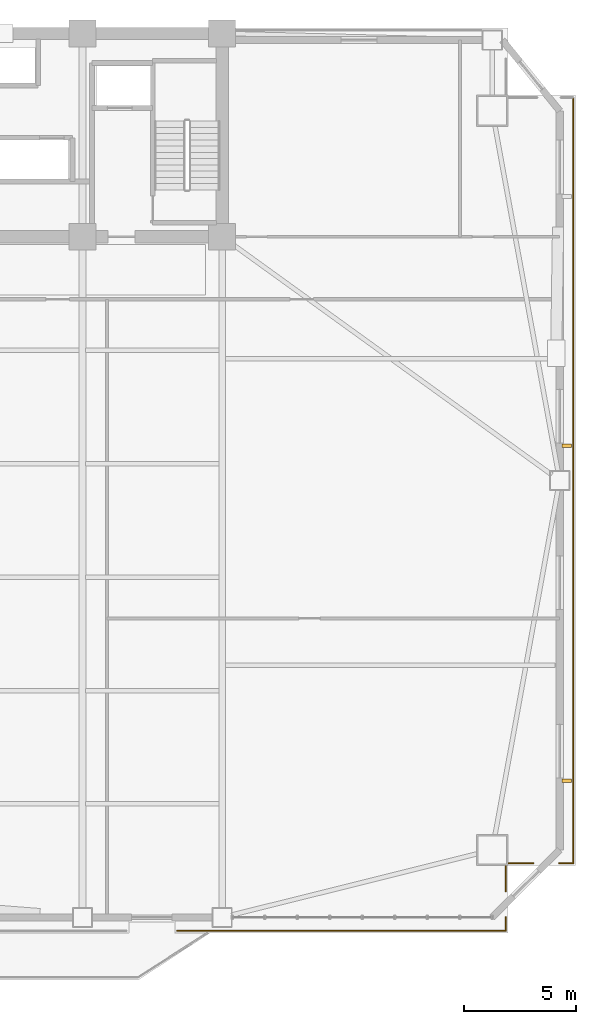
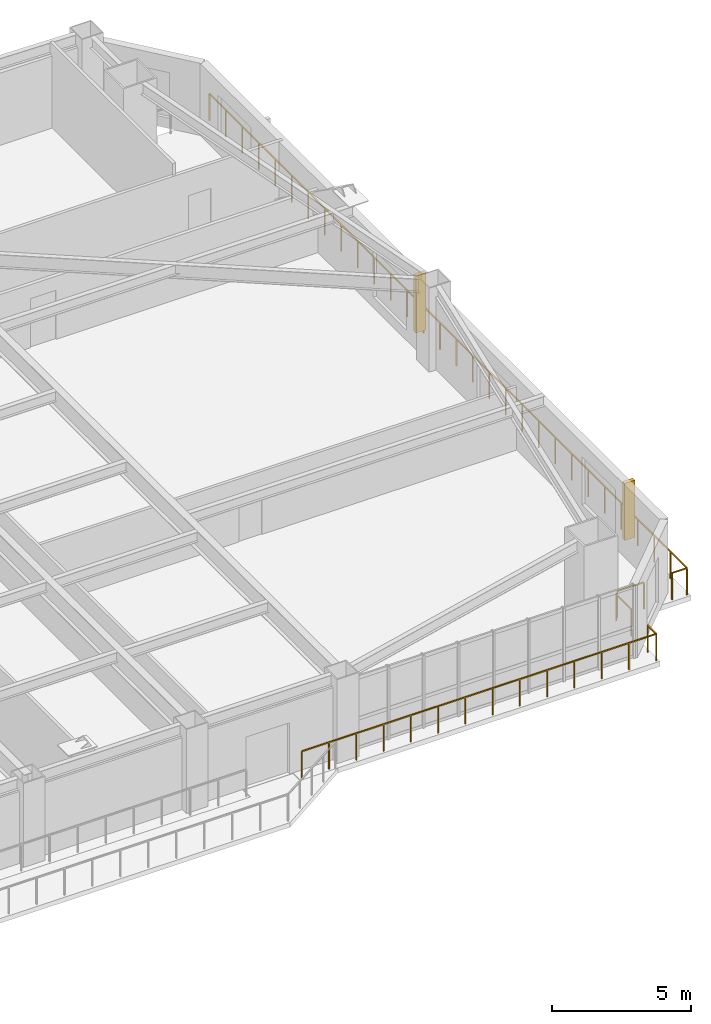
# One storey, part 13 of 15: 6 railings, 2 shading devices.
"""IFC4 building model written with IfcOpenShell, lengths in metres."""

from ifc_helpers import new_model, si_unit, direction, frame, origin, origin_2d, place, context, subcontext, project, spatial, rectangle, extrude, source, transform, mapped, material, type_object, element, save


model = new_model("IFC4")

# Units and contexts
model_context = context("Model", 3, precision=1e-05, world=origin(), true_north=direction((0.0, 1.0)))
body_context = subcontext(model_context, "Body", "Model", "MODEL_VIEW")
ifc_project = project(units=[si_unit("LENGTHUNIT", "METRE"), si_unit("AREAUNIT", "SQUARE_METRE"), si_unit("VOLUMEUNIT", "CUBIC_METRE"), si_unit("PLANEANGLEUNIT", "RADIAN"), si_unit("MASSUNIT", "GRAM", prefix="KILO")], contexts=[model_context])

# Site, building, storey
site_placement = place(None, origin())
site = spatial("IfcSite", under=ifc_project, at=site_placement, CompositionType="ELEMENT")
building_placement = place(site_placement, origin())
building = spatial("IfcBuilding", under=site, at=building_placement, Name="Giltprow Tower", CompositionType="ELEMENT")
storey_placement = place(building_placement, frame((0.0, 0.0, 115.300048828125)))
storey = spatial("IfcBuildingStorey", under=building, at=storey_placement, Name="L28", CompositionType="ELEMENT", Elevation=115.300048828125)

# Railings
ifc_material = material(Name="Anodized bronze", Category="metal")
railing_type = type_object("IfcRailingType", Name="RAIL-BALC-GUARD-1200", PredefinedType="BALUSTRADE", material=ifc_material)
railing_1_placement = place(storey_placement, frame((66.256103515625, 43.68310546875, 0.0)))
element("IfcRailing", 1, at=railing_1_placement, inside=storey, type_object=railing_type, Name="L28 Corner Apron Edge Balustrade 14", PredefinedType="BALUSTRADE", context=body_context, shape_type="SweptSolid", body=[
    extrude(rectangle(XDim=0.048095703125, YDim=0.048095703125, at=origin_2d()), frame((0.0, 0.0, 1.17578125), z_axis=(0.0, -1.0, 0.0), x_axis=(1.0, 0.0, 0.0)), (0.0, 0.0, 1.0), 34.276123046875),
    extrude(rectangle(XDim=0.0419921875, YDim=0.0419921875, at=origin_2d()), origin(), (0.0, 0.0, 1.0), 1.15185546875),
    extrude(rectangle(XDim=0.0419921875, YDim=0.0419921875, at=origin_2d()), frame((0.0, -1.181884765625, 0.0)), (0.0, 0.0, 1.0), 1.15185546875),
    extrude(rectangle(XDim=0.0419921875, YDim=0.0419921875, at=origin_2d()), frame((0.0, -2.36376953125, 0.0)), (0.0, 0.0, 1.0), 1.15185546875),
    extrude(rectangle(XDim=0.0419921875, YDim=0.0419921875, at=origin_2d()), frame((0.0, -3.5458984375, 0.0)), (0.0, 0.0, 1.0), 1.15185546875),
    extrude(rectangle(XDim=0.0419921875, YDim=0.0419921875, at=origin_2d()), frame((0.0, -4.727783203125, 0.0)), (0.0, 0.0, 1.0), 1.15185546875),
    extrude(rectangle(XDim=0.0419921875, YDim=0.0419921875, at=origin_2d()), frame((0.0, -5.90966796875, 0.0)), (0.0, 0.0, 1.0), 1.15185546875),
    extrude(rectangle(XDim=0.0419921875, YDim=0.0419921875, at=origin_2d()), frame((0.0, -7.091552734375, 0.0)), (0.0, 0.0, 1.0), 1.15185546875),
    extrude(rectangle(XDim=0.0419921875, YDim=0.0419921875, at=origin_2d()), frame((0.0, -8.2734375, 0.0)), (0.0, 0.0, 1.0), 1.15185546875),
    extrude(rectangle(XDim=0.0419921875, YDim=0.0419921875, at=origin_2d()), frame((0.0, -9.45556640625, 0.0)), (0.0, 0.0, 1.0), 1.15185546875),
    extrude(rectangle(XDim=0.0419921875, YDim=0.0419921875, at=origin_2d()), frame((0.0, -10.637451171875, 0.0)), (0.0, 0.0, 1.0), 1.15185546875),
    extrude(rectangle(XDim=0.0419921875, YDim=0.0419921875, at=origin_2d()), frame((0.0, -11.8193359375, 0.0)), (0.0, 0.0, 1.0), 1.15185546875),
    extrude(rectangle(XDim=0.0419921875, YDim=0.0419921875, at=origin_2d()), frame((0.0, -13.001220703125, 0.0)), (0.0, 0.0, 1.0), 1.15185546875),
    extrude(rectangle(XDim=0.0419921875, YDim=0.0419921875, at=origin_2d()), frame((0.0, -14.18310546875, 0.0)), (0.0, 0.0, 1.0), 1.15185546875),
    extrude(rectangle(XDim=0.0419921875, YDim=0.0419921875, at=origin_2d()), frame((0.0, -15.365234375, 0.0)), (0.0, 0.0, 1.0), 1.15185546875),
    extrude(rectangle(XDim=0.0419921875, YDim=0.0419921875, at=origin_2d()), frame((0.0, -16.547119140625, 0.0)), (0.0, 0.0, 1.0), 1.15185546875),
    extrude(rectangle(XDim=0.0419921875, YDim=0.0419921875, at=origin_2d()), frame((0.0, -17.72900390625, 0.0)), (0.0, 0.0, 1.0), 1.15185546875),
    extrude(rectangle(XDim=0.0419921875, YDim=0.0419921875, at=origin_2d()), frame((0.0, -18.910888671875, 0.0)), (0.0, 0.0, 1.0), 1.15185546875),
    extrude(rectangle(XDim=0.0419921875, YDim=0.0419921875, at=origin_2d()), frame((0.0, -20.093017578125, 0.0)), (0.0, 0.0, 1.0), 1.15185546875),
    extrude(rectangle(XDim=0.0419921875, YDim=0.0419921875, at=origin_2d()), frame((0.0, -21.27490234375, 0.0)), (0.0, 0.0, 1.0), 1.15185546875),
    extrude(rectangle(XDim=0.0419921875, YDim=0.0419921875, at=origin_2d()), frame((0.0, -22.456787109375, 0.0)), (0.0, 0.0, 1.0), 1.15185546875),
    extrude(rectangle(XDim=0.0419921875, YDim=0.0419921875, at=origin_2d()), frame((0.0, -23.638671875, 0.0)), (0.0, 0.0, 1.0), 1.15185546875),
    extrude(rectangle(XDim=0.0419921875, YDim=0.0419921875, at=origin_2d()), frame((0.0, -24.820556640625, 0.0)), (0.0, 0.0, 1.0), 1.15185546875),
    extrude(rectangle(XDim=0.0419921875, YDim=0.0419921875, at=origin_2d()), frame((0.0, -26.002685546875, 0.0)), (0.0, 0.0, 1.0), 1.15185546875),
    extrude(rectangle(XDim=0.0419921875, YDim=0.0419921875, at=origin_2d()), frame((0.0, -27.1845703125, 0.0)), (0.0, 0.0, 1.0), 1.15185546875),
    extrude(rectangle(XDim=0.0419921875, YDim=0.0419921875, at=origin_2d()), frame((0.0, -28.366455078125, 0.0)), (0.0, 0.0, 1.0), 1.15185546875),
    extrude(rectangle(XDim=0.0419921875, YDim=0.0419921875, at=origin_2d()), frame((0.0, -29.54833984375, 0.0)), (0.0, 0.0, 1.0), 1.15185546875),
    extrude(rectangle(XDim=0.0419921875, YDim=0.0419921875, at=origin_2d()), frame((0.0, -30.730224609375, 0.0)), (0.0, 0.0, 1.0), 1.15185546875),
    extrude(rectangle(XDim=0.0419921875, YDim=0.0419921875, at=origin_2d()), frame((0.0, -31.912353515625, 0.0)), (0.0, 0.0, 1.0), 1.15185546875),
    extrude(rectangle(XDim=0.0419921875, YDim=0.0419921875, at=origin_2d()), frame((0.0, -33.09423828125, 0.0)), (0.0, 0.0, 1.0), 1.15185546875),
    extrude(rectangle(XDim=0.0419921875, YDim=0.0419921875, at=origin_2d()), frame((0.0, -34.276123046875, 0.0)), (0.0, 0.0, 1.0), 1.15185546875),
])
railing_2_placement = place(storey_placement, frame((66.256103515625, 9.406982421875, 0.0)))
element("IfcRailing", 2, at=railing_2_placement, inside=storey, type_object=railing_type, Name="L28 Corner Apron Edge Balustrade 15", PredefinedType="BALUSTRADE", context=body_context, shape_type="SweptSolid", body=[
    extrude(rectangle(XDim=0.048095703125, YDim=0.048095703125, at=origin_2d()), frame((0.0, 0.0, 1.17578125), z_axis=(-1.0, 0.0, 0.0), x_axis=(0.0, -1.0, 0.0)), (0.0, 0.0, 1.0), 0.6201171875),
    extrude(rectangle(XDim=0.0419921875, YDim=0.0419921875, at=origin_2d()), origin(), (0.0, 0.0, 1.0), 1.15185546875),
    extrude(rectangle(XDim=0.0419921875, YDim=0.0419921875, at=origin_2d()), frame((-0.6201171875, 0.0, 0.0)), (0.0, 0.0, 1.0), 1.15185546875),
])
railing_3_placement = place(storey_placement, frame((64.47607421875, 9.406982421875, 0.0)))
element("IfcRailing", 3, at=railing_3_placement, inside=storey, type_object=railing_type, Name="L28 Corner Apron Edge Balustrade 16", PredefinedType="BALUSTRADE", context=body_context, shape_type="SweptSolid", body=[
    extrude(rectangle(XDim=0.048095703125, YDim=0.048095703125, at=origin_2d()), frame((0.0, 0.0, 1.17578125), z_axis=(-1.0, 0.0, 0.0), x_axis=(0.0, -1.0, 0.0)), (0.0, 0.0, 1.0), 1.10205078125),
    extrude(rectangle(XDim=0.0419921875, YDim=0.0419921875, at=origin_2d()), origin(), (0.0, 0.0, 1.0), 1.15185546875),
    extrude(rectangle(XDim=0.0419921875, YDim=0.0419921875, at=origin_2d()), frame((-1.10205078125, 0.0, 0.0)), (0.0, 0.0, 1.0), 1.15185546875),
])
railing_4_placement = place(storey_placement, frame((63.239013671875, 9.27197265625, 0.0)))
element("IfcRailing", 4, at=railing_4_placement, inside=storey, type_object=railing_type, Name="L28 Corner Apron Edge Balustrade 17", PredefinedType="BALUSTRADE", context=body_context, shape_type="SweptSolid", body=[
    extrude(rectangle(XDim=0.048095703125, YDim=0.048095703125, at=origin_2d()), frame((0.0, 0.0, 1.17578125), z_axis=(0.0, -1.0, 0.0), x_axis=(1.0, 0.0, 0.0)), (0.0, 0.0, 1.0), 1.10205078125),
    extrude(rectangle(XDim=0.0419921875, YDim=0.0419921875, at=origin_2d()), origin(), (0.0, 0.0, 1.0), 1.15185546875),
    extrude(rectangle(XDim=0.0419921875, YDim=0.0419921875, at=origin_2d()), frame((0.0, -1.10205078125, 0.0)), (0.0, 0.0, 1.0), 1.15185546875),
])
railing_5_placement = place(storey_placement, frame((63.239013671875, 7.010009765625, 0.0)))
element("IfcRailing", 5, at=railing_5_placement, inside=storey, type_object=railing_type, Name="L28 Corner Apron Edge Balustrade 18", PredefinedType="BALUSTRADE", context=body_context, shape_type="SweptSolid", body=[
    extrude(rectangle(XDim=0.048095703125, YDim=0.048095703125, at=origin_2d()), frame((0.0, 0.0, 1.17578125), z_axis=(0.0, -1.0, 0.0), x_axis=(1.0, 0.0, 0.0)), (0.0, 0.0, 1.0), 0.6201171875),
    extrude(rectangle(XDim=0.0419921875, YDim=0.0419921875, at=origin_2d()), origin(), (0.0, 0.0, 1.0), 1.15185546875),
    extrude(rectangle(XDim=0.0419921875, YDim=0.0419921875, at=origin_2d()), frame((0.0, -0.6201171875, 0.0)), (0.0, 0.0, 1.0), 1.15185546875),
])
railing_6_placement = place(storey_placement, frame((63.239013671875, 6.389892578125, 0.0)))
element("IfcRailing", 6, at=railing_6_placement, inside=storey, type_object=railing_type, Name="L28 Corner Apron Edge Balustrade 19", PredefinedType="BALUSTRADE", context=body_context, shape_type="SweptSolid", body=[
    extrude(rectangle(XDim=0.048095703125, YDim=0.048095703125, at=origin_2d()), frame((0.0, 0.0, 1.17578125), z_axis=(-1.0, 0.0, 0.0), x_axis=(0.0, -1.0, 0.0)), (0.0, 0.0, 1.0), 14.68896484375),
    extrude(rectangle(XDim=0.0419921875, YDim=0.0419921875, at=origin_2d()), origin(), (0.0, 0.0, 1.0), 1.15185546875),
    extrude(rectangle(XDim=0.0419921875, YDim=0.0419921875, at=origin_2d()), frame((-1.1298828125, 0.0, 0.0)), (0.0, 0.0, 1.0), 1.15185546875),
    extrude(rectangle(XDim=0.0419921875, YDim=0.0419921875, at=origin_2d()), frame((-2.259765625, 0.0, 0.0)), (0.0, 0.0, 1.0), 1.15185546875),
    extrude(rectangle(XDim=0.0419921875, YDim=0.0419921875, at=origin_2d()), frame((-3.3896484375, 0.0, 0.0)), (0.0, 0.0, 1.0), 1.15185546875),
    extrude(rectangle(XDim=0.0419921875, YDim=0.0419921875, at=origin_2d()), frame((-4.519775390625, 0.0, 0.0)), (0.0, 0.0, 1.0), 1.15185546875),
    extrude(rectangle(XDim=0.0419921875, YDim=0.0419921875, at=origin_2d()), frame((-5.649658203125, 0.0, 0.0)), (0.0, 0.0, 1.0), 1.15185546875),
    extrude(rectangle(XDim=0.0419921875, YDim=0.0419921875, at=origin_2d()), frame((-6.779541015625, 0.0, 0.0)), (0.0, 0.0, 1.0), 1.15185546875),
    extrude(rectangle(XDim=0.0419921875, YDim=0.0419921875, at=origin_2d()), frame((-7.909423828125, 0.0, 0.0)), (0.0, 0.0, 1.0), 1.15185546875),
    extrude(rectangle(XDim=0.0419921875, YDim=0.0419921875, at=origin_2d()), frame((-9.039306640625, 0.0, 0.0)), (0.0, 0.0, 1.0), 1.15185546875),
    extrude(rectangle(XDim=0.0419921875, YDim=0.0419921875, at=origin_2d()), frame((-10.169189453125, 0.0, 0.0)), (0.0, 0.0, 1.0), 1.15185546875),
    extrude(rectangle(XDim=0.0419921875, YDim=0.0419921875, at=origin_2d()), frame((-11.29931640625, 0.0, 0.0)), (0.0, 0.0, 1.0), 1.15185546875),
    extrude(rectangle(XDim=0.0419921875, YDim=0.0419921875, at=origin_2d()), frame((-12.42919921875, 0.0, 0.0)), (0.0, 0.0, 1.0), 1.15185546875),
    extrude(rectangle(XDim=0.0419921875, YDim=0.0419921875, at=origin_2d()), frame((-13.55908203125, 0.0, 0.0)), (0.0, 0.0, 1.0), 1.15185546875),
    extrude(rectangle(XDim=0.0419921875, YDim=0.0419921875, at=origin_2d()), frame((-14.68896484375, 0.0, 0.0)), (0.0, 0.0, 1.0), 1.15185546875),
])

# Shading devices
shading_device_type = type_object("IfcShadingDeviceType", Name="SHD-FIN-420", PredefinedType="USERDEFINED", material=ifc_material)
shared_shape = source(origin(), body_context, "Body", "SweptSolid", [
    extrude(rectangle(XDim=0.419921875, YDim=0.159912109375, at=origin_2d()), origin(), (0.0, 0.0, 1.0), 2.5),
])
for number, where, z_axis, x_axis, name in (
    (7, (65.97607421875, 13.110107421875, 0.349853515625), (0.0, 0.0, 1.0), (1.0, 0.0, 0.0), "L28 E Bronze Vertical Fin 1-1"),
    (8, (65.97607421875, 28.094970703125, 0.349853515625), (0.0, 0.0, 1.0), (1.0, 0.0, 0.0), "L28 E Bronze Vertical Fin 2-1"),
):
    element("IfcShadingDevice", number, at=place(storey_placement, frame(where, z_axis=z_axis, x_axis=x_axis)), inside=storey, type_object=shading_device_type, Name=name, ObjectType="FIN", PredefinedType="USERDEFINED", context=body_context, shape_type="MappedRepresentation", body=[
        mapped(shared_shape, transform((0.0, 0.0, 0.0), x_axis=(1.0, 0.0, 0.0), y_axis=(0.0, 1.0, 0.0), z_axis=(0.0, 0.0, 1.0), scale=1.0)),
    ])

save(model, "model.ifc")
